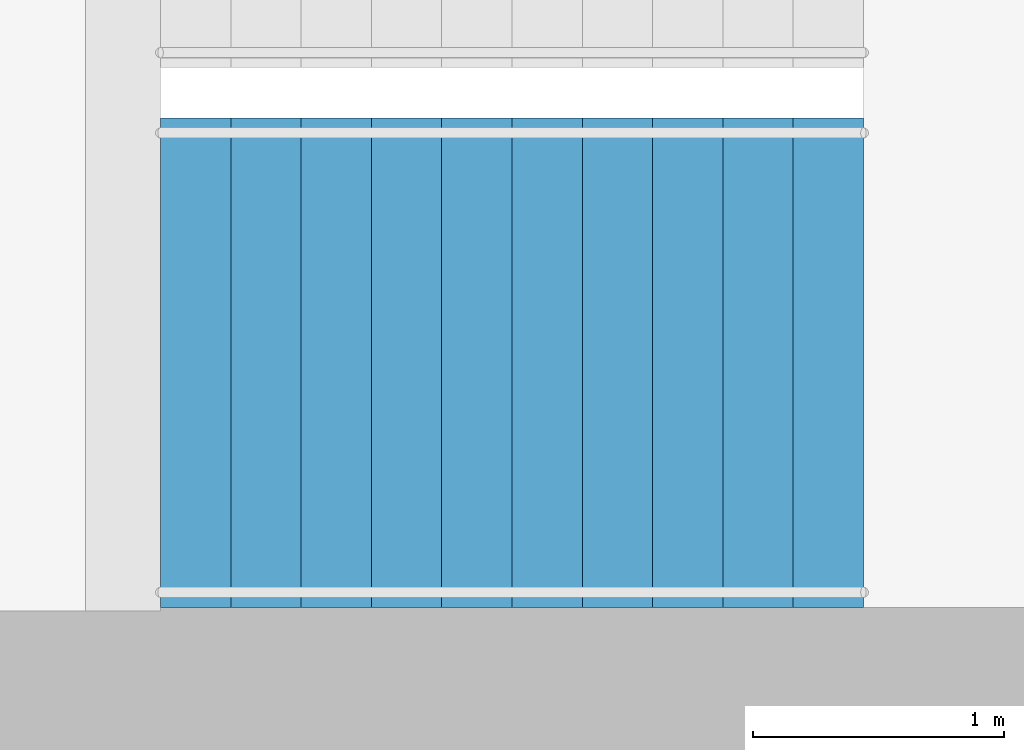
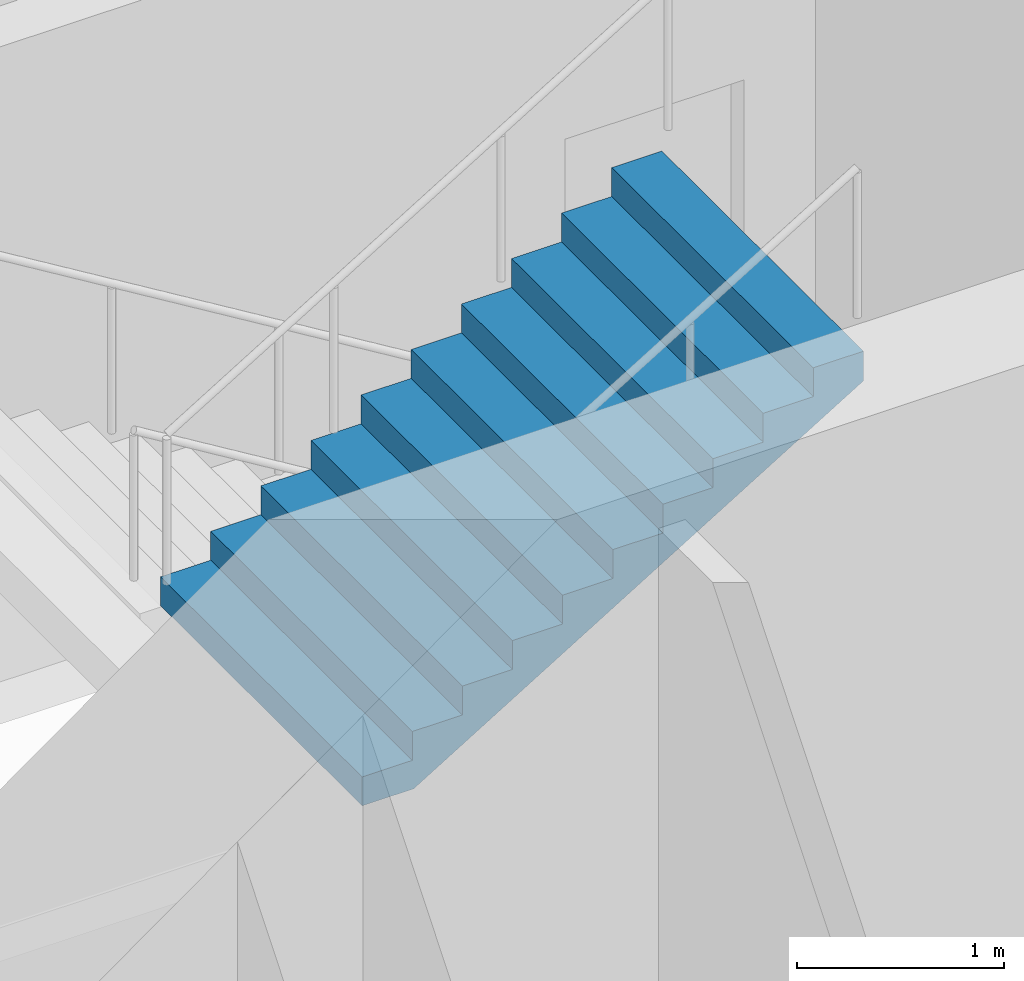
# One storey, part 21 of 23: 1 stair flight, 1 element without a shape of its own.
"""IFC4 building model written with IfcOpenShell, lengths in metres."""

from ifc_helpers import new_model, si_unit, direction, frame, origin, place, context, subcontext, project, spatial, triangles, material, type_object, element, aggregate, save


model = new_model("IFC4")

# Units and contexts
model_context = context("Model", 3, precision=1e-05, world=origin(), true_north=direction((0.0, 1.0)))
body_context = subcontext(model_context, "Body", "Model", "MODEL_VIEW")
ifc_project = project(units=[si_unit("LENGTHUNIT", "METRE"), si_unit("AREAUNIT", "SQUARE_METRE"), si_unit("VOLUMEUNIT", "CUBIC_METRE"), si_unit("PLANEANGLEUNIT", "RADIAN"), si_unit("MASSUNIT", "GRAM", prefix="KILO")], contexts=[model_context])

# Site, building, storey
site_placement = place(None, origin())
site = spatial("IfcSite", under=ifc_project, at=site_placement, CompositionType="ELEMENT")
building_placement = place(site_placement, origin())
building = spatial("IfcBuilding", under=site, at=building_placement, Name="Orbita Commons", CompositionType="ELEMENT")
storey_placement = place(building_placement, frame((0.0, 0.0, 224.050048828125)))
storey = spatial("IfcBuildingStorey", under=building, at=storey_placement, Name="L55", CompositionType="ELEMENT", Elevation=224.050048828125)

# Stair, stair flight
ifc_material_1 = material(Name="Precast concrete C40/50", Category="concrete")
stair_type = type_object("IfcStairType", Name="Exit stair S2 2 flights 11 risers 170", PredefinedType="HALF_TURN_STAIR", material=ifc_material_1)
stair_placement = place(storey_placement, origin())
stair = element("IfcStair", 1, at=stair_placement, inside=storey, type_object=stair_type, Name="Exit stair S2 L55", PredefinedType="HALF_TURN_STAIR")
ifc_material_2 = material(Name="Precast concrete C40/50", Category="concrete")
stair_flight_type = type_object("IfcStairFlightType", Name="Stair flight 11 risers 170 x 280", PredefinedType="STRAIGHT", material=ifc_material_2)
stair_flight_placement = place(storey_placement, frame((60.75, 27.125, 1.875), z_axis=(0.0, 0.0, 1.0), x_axis=(1.0, 0.0, 0.0)))
stair_flight = element("IfcStairFlight", 2, at=stair_flight_placement, type_object=stair_flight_type, Name="S2 flight 2", NumberOfRisers=11, NumberOfTreads=10, PredefinedType="STRAIGHT", RiserHeight=0.170454545, TreadLength=0.28, context=body_context, shape_type="Tessellation", body=[
    triangles([(0.0, 0.974976, 0.0), (0.0, 0.974976, 0.021307), (0.0, 0.81248, 0.021307), (0.0, 0.81248, 0.0), (0.0, 0.649984, 0.021307), (0.0, 0.649984, 0.0), (0.0, 0.487488, 0.021307), (0.0, 0.487488, 0.0), (0.0, 0.324992, 0.021307), (0.0, 0.324992, 0.0), (0.0, 0.162496, 0.021307), (0.0, 0.162496, 0.0), (0.0, 0.0, 0.021307), (0.0, 0.0, 0.0), (0.0, -0.162496, 0.021307), (0.0, -0.162496, 0.0), (0.0, -0.324992, 0.021307), (0.0, -0.324992, 0.0), (0.0, -0.487488, 0.021307), (0.0, -0.487488, 0.0), (0.0, -0.649984, 0.021307), (0.0, -0.649984, 0.0), (0.0, -0.81248, 0.021307), (0.0, -0.81248, 0.0), (0.0, -0.974976, 0.021307), (0.0, -0.974976, 0.0), (0.0, 0.974976, 0.042614), (0.0, 0.81248, 0.042614), (0.0, 0.649984, 0.042614), (0.0, 0.487488, 0.042614), (0.0, 0.324992, 0.042614), (0.0, 0.162496, 0.042614), (0.0, 0.0, 0.042614), (0.0, -0.162496, 0.042614), (0.0, -0.324992, 0.042614), (0.0, -0.487488, 0.042614), (0.0, -0.649984, 0.042614), (0.0, -0.81248, 0.042614), (0.0, -0.974976, 0.042614), (0.0, 0.974976, 0.06392), (0.0, 0.81248, 0.06392), (0.0, 0.649984, 0.06392), (0.0, 0.487488, 0.06392), (0.0, 0.324992, 0.06392), (0.0, 0.162496, 0.06392), (0.0, 0.0, 0.06392), (0.0, -0.162496, 0.06392), (0.0, -0.324992, 0.06392), (0.0, -0.487488, 0.06392), (0.0, -0.649984, 0.06392), (0.0, -0.81248, 0.06392), (0.0, -0.974976, 0.06392), (0.0, 0.974976, 0.085227), (0.0, 0.81248, 0.085227), (0.0, 0.649984, 0.085227), (0.0, 0.487488, 0.085227), (0.0, 0.324992, 0.085227), (0.0, 0.162496, 0.085227), (0.0, 0.0, 0.085227), (0.0, -0.162496, 0.085227), (0.0, -0.324992, 0.085227), (0.0, -0.487488, 0.085227), (0.0, -0.649984, 0.085227), (0.0, -0.81248, 0.085227), (0.0, -0.974976, 0.085227), (0.0, 0.974976, 0.106534), (0.0, 0.81248, 0.106534), (0.0, 0.649984, 0.106534), (0.0, 0.487488, 0.106534), (0.0, 0.324992, 0.106534), (0.0, 0.162496, 0.106534), (0.0, 0.0, 0.106534), (0.0, -0.162496, 0.106534), (0.0, -0.324992, 0.106534), (0.0, -0.487488, 0.106534), (0.0, -0.649984, 0.106534), (0.0, -0.81248, 0.106534), (0.0, -0.974976, 0.106534), (0.0, 0.974976, 0.127841), (0.0, 0.81248, 0.127841), (0.0, 0.649984, 0.127841), (0.0, 0.487488, 0.127841), (0.0, 0.324992, 0.127841), (0.0, 0.162496, 0.127841), (0.0, 0.0, 0.127841), (0.0, -0.162496, 0.127841), (0.0, -0.324992, 0.127841), (0.0, -0.487488, 0.127841), (0.0, -0.649984, 0.127841), (0.0, -0.81248, 0.127841), (0.0, -0.974976, 0.127841), (0.0, 0.974976, 0.149148), (0.0, 0.81248, 0.149148), (0.0, 0.649984, 0.149148), (0.0, 0.487488, 0.149148), (0.0, 0.324992, 0.149148), (0.0, 0.162496, 0.149148), (0.0, 0.0, 0.149148), (0.0, -0.162496, 0.149148), (0.0, -0.324992, 0.149148), (0.0, -0.487488, 0.149148), (0.0, -0.649984, 0.149148), (0.0, -0.81248, 0.149148), (0.0, -0.974976, 0.149148), (0.0, 0.974976, 0.170455), (0.0, 0.81248, 0.170455), (0.0, 0.649984, 0.170455), (0.0, 0.487488, 0.170455), (0.0, 0.324992, 0.170455), (0.0, 0.162496, 0.170455), (0.0, 0.0, 0.170455), (0.0, -0.162496, 0.170455), (0.0, -0.324992, 0.170455), (0.0, -0.487488, 0.170455), (0.0, -0.649984, 0.170455), (0.0, -0.81248, 0.170455), (0.0, -0.974976, 0.170455), (0.28, 0.974976, 0.170455), (0.28, 0.81248, 0.170455), (0.28, 0.649984, 0.170455), (0.28, 0.487488, 0.170455), (0.28, 0.324992, 0.170455), (0.28, 0.162496, 0.170455), (0.28, 0.0, 0.170455), (0.28, -0.162496, 0.170455), (0.28, -0.324992, 0.170455), (0.28, -0.487488, 0.170455), (0.28, -0.649984, 0.170455), (0.28, -0.81248, 0.170455), (0.28, -0.974976, 0.170455), (0.28, 0.974976, 0.340909), (0.28, 0.81248, 0.340909), (0.28, 0.649984, 0.340909), (0.28, 0.487488, 0.340909), (0.28, 0.324992, 0.340909), (0.28, 0.162496, 0.340909), (0.28, 0.0, 0.340909), (0.28, -0.162496, 0.340909), (0.28, -0.324992, 0.340909), (0.28, -0.487488, 0.340909), (0.28, -0.649984, 0.340909), (0.28, -0.81248, 0.340909), (0.28, -0.974976, 0.340909), (0.56, 0.974976, 0.340909), (0.56, 0.81248, 0.340909), (0.56, 0.649984, 0.340909), (0.56, 0.487488, 0.340909), (0.56, 0.324992, 0.340909), (0.56, 0.162496, 0.340909), (0.56, 0.0, 0.340909), (0.56, -0.162496, 0.340909), (0.56, -0.324992, 0.340909), (0.56, -0.487488, 0.340909), (0.56, -0.649984, 0.340909), (0.56, -0.81248, 0.340909), (0.56, -0.974976, 0.340909), (0.56, 0.974976, 0.511364), (0.56, 0.81248, 0.511364), (0.56, 0.649984, 0.511364), (0.56, 0.487488, 0.511364), (0.56, 0.324992, 0.511364), (0.56, 0.162496, 0.511364), (0.56, 0.0, 0.511364), (0.56, -0.162496, 0.511364), (0.56, -0.324992, 0.511364), (0.56, -0.487488, 0.511364), (0.56, -0.649984, 0.511364), (0.56, -0.81248, 0.511364), (0.56, -0.974976, 0.511364), (0.84, 0.974976, 0.511364), (0.84, 0.81248, 0.511364), (0.84, 0.649984, 0.511364), (0.84, 0.487488, 0.511364), (0.84, 0.324992, 0.511364), (0.84, 0.162496, 0.511364), (0.84, 0.0, 0.511364), (0.84, -0.162496, 0.511364), (0.84, -0.324992, 0.511364), (0.84, -0.487488, 0.511364), (0.84, -0.649984, 0.511364), (0.84, -0.81248, 0.511364), (0.84, -0.974976, 0.511364), (0.84, 0.974976, 0.681818), (0.84, 0.81248, 0.681818), (0.84, 0.649984, 0.681818), (0.84, 0.487488, 0.681818), (0.84, 0.324992, 0.681818), (0.84, 0.162496, 0.681818), (0.84, 0.0, 0.681818), (0.84, -0.162496, 0.681818), (0.84, -0.324992, 0.681818), (0.84, -0.487488, 0.681818), (0.84, -0.649984, 0.681818), (0.84, -0.81248, 0.681818), (0.84, -0.974976, 0.681818), (1.12, 0.974976, 0.681818), (1.12, 0.81248, 0.681818), (1.12, 0.649984, 0.681818), (1.12, 0.487488, 0.681818), (1.12, 0.324992, 0.681818), (1.12, 0.162496, 0.681818), (1.12, 0.0, 0.681818), (1.12, -0.162496, 0.681818), (1.12, -0.324992, 0.681818), (1.12, -0.487488, 0.681818), (1.12, -0.649984, 0.681818), (1.12, -0.81248, 0.681818), (1.12, -0.974976, 0.681818), (1.12, 0.974976, 0.852273), (1.12, 0.81248, 0.852273), (1.12, 0.649984, 0.852273), (1.12, 0.487488, 0.852273), (1.12, 0.324992, 0.852273), (1.12, 0.162496, 0.852273), (1.12, 0.0, 0.852273), (1.12, -0.162496, 0.852273), (1.12, -0.324992, 0.852273), (1.12, -0.487488, 0.852273), (1.12, -0.649984, 0.852273), (1.12, -0.81248, 0.852273), (1.12, -0.974976, 0.852273), (1.4, 0.974976, 0.852273), (1.4, 0.81248, 0.852273), (1.4, 0.649984, 0.852273), (1.4, 0.487488, 0.852273), (1.4, 0.324992, 0.852273), (1.4, 0.162496, 0.852273), (1.4, 0.0, 0.852273), (1.4, -0.162496, 0.852273), (1.4, -0.324992, 0.852273), (1.4, -0.487488, 0.852273), (1.4, -0.649984, 0.852273), (1.4, -0.81248, 0.852273), (1.4, -0.974976, 0.852273), (1.4, 0.974976, 1.022727), (1.4, 0.81248, 1.022727), (1.4, 0.649984, 1.022727), (1.4, 0.487488, 1.022727), (1.4, 0.324992, 1.022727), (1.4, 0.162496, 1.022727), (1.4, 0.0, 1.022727), (1.4, -0.162496, 1.022727), (1.4, -0.324992, 1.022727), (1.4, -0.487488, 1.022727), (1.4, -0.649984, 1.022727), (1.4, -0.81248, 1.022727), (1.4, -0.974976, 1.022727), (1.68, 0.974976, 1.022727), (1.68, 0.81248, 1.022727), (1.68, 0.649984, 1.022727), (1.68, 0.487488, 1.022727), (1.68, 0.324992, 1.022727), (1.68, 0.162496, 1.022727), (1.68, 0.0, 1.022727), (1.68, -0.162496, 1.022727), (1.68, -0.324992, 1.022727), (1.68, -0.487488, 1.022727), (1.68, -0.649984, 1.022727), (1.68, -0.81248, 1.022727), (1.68, -0.974976, 1.022727), (1.68, 0.974976, 1.193182), (1.68, 0.81248, 1.193182), (1.68, 0.649984, 1.193182), (1.68, 0.487488, 1.193182), (1.68, 0.324992, 1.193182), (1.68, 0.162496, 1.193182), (1.68, 0.0, 1.193182), (1.68, -0.162496, 1.193182), (1.68, -0.324992, 1.193182), (1.68, -0.487488, 1.193182), (1.68, -0.649984, 1.193182), (1.68, -0.81248, 1.193182), (1.68, -0.974976, 1.193182), (1.96, 0.974976, 1.193182), (1.96, 0.81248, 1.193182), (1.96, 0.649984, 1.193182), (1.96, 0.487488, 1.193182), (1.96, 0.324992, 1.193182), (1.96, 0.162496, 1.193182), (1.96, 0.0, 1.193182), (1.96, -0.162496, 1.193182), (1.96, -0.324992, 1.193182), (1.96, -0.487488, 1.193182), (1.96, -0.649984, 1.193182), (1.96, -0.81248, 1.193182), (1.96, -0.974976, 1.193182), (1.96, 0.974976, 1.363636), (1.96, 0.81248, 1.363636), (1.96, 0.649984, 1.363636), (1.96, 0.487488, 1.363636), (1.96, 0.324992, 1.363636), (1.96, 0.162496, 1.363636), (1.96, 0.0, 1.363636), (1.96, -0.162496, 1.363636), (1.96, -0.324992, 1.363636), (1.96, -0.487488, 1.363636), (1.96, -0.649984, 1.363636), (1.96, -0.81248, 1.363636), (1.96, -0.974976, 1.363636), (2.24, 0.974976, 1.363636), (2.24, 0.81248, 1.363636), (2.24, 0.649984, 1.363636), (2.24, 0.487488, 1.363636), (2.24, 0.324992, 1.363636), (2.24, 0.162496, 1.363636), (2.24, 0.0, 1.363636), (2.24, -0.162496, 1.363636), (2.24, -0.324992, 1.363636), (2.24, -0.487488, 1.363636), (2.24, -0.649984, 1.363636), (2.24, -0.81248, 1.363636), (2.24, -0.974976, 1.363636), (2.24, 0.974976, 1.534091), (2.24, 0.81248, 1.534091), (2.24, 0.649984, 1.534091), (2.24, 0.487488, 1.534091), (2.24, 0.324992, 1.534091), (2.24, 0.162496, 1.534091), (2.24, 0.0, 1.534091), (2.24, -0.162496, 1.534091), (2.24, -0.324992, 1.534091), (2.24, -0.487488, 1.534091), (2.24, -0.649984, 1.534091), (2.24, -0.81248, 1.534091), (2.24, -0.974976, 1.534091), (2.52, 0.974976, 1.534091), (2.52, 0.81248, 1.534091), (2.52, 0.649984, 1.534091), (2.52, 0.487488, 1.534091), (2.52, 0.324992, 1.534091), (2.52, 0.162496, 1.534091), (2.52, 0.0, 1.534091), (2.52, -0.162496, 1.534091), (2.52, -0.324992, 1.534091), (2.52, -0.487488, 1.534091), (2.52, -0.649984, 1.534091), (2.52, -0.81248, 1.534091), (2.52, -0.974976, 1.534091), (2.52, 0.974976, 1.704545), (2.52, 0.81248, 1.704545), (2.52, 0.649984, 1.704545), (2.52, 0.487488, 1.704545), (2.52, 0.324992, 1.704545), (2.52, 0.162496, 1.704545), (2.52, 0.0, 1.704545), (2.52, -0.162496, 1.704545), (2.52, -0.324992, 1.704545), (2.52, -0.487488, 1.704545), (2.52, -0.649984, 1.704545), (2.52, -0.81248, 1.704545), (2.52, -0.974976, 1.704545), (2.8, 0.974976, 1.704545), (2.8, 0.81248, 1.704545), (2.8, 0.649984, 1.704545), (2.8, 0.487488, 1.704545), (2.8, 0.324992, 1.704545), (2.8, 0.162496, 1.704545), (2.8, 0.0, 1.704545), (2.8, -0.162496, 1.704545), (2.8, -0.324992, 1.704545), (2.8, -0.487488, 1.704545), (2.8, -0.649984, 1.704545), (2.8, -0.81248, 1.704545), (2.8, -0.974976, 1.704545), (2.8, 0.974976, 1.682609), (2.8, 0.81248, 1.682609), (2.8, 0.649984, 1.682609), (2.8, 0.487488, 1.682609), (2.8, 0.324992, 1.682609), (2.8, 0.162496, 1.682609), (2.8, 0.0, 1.682609), (2.8, -0.162496, 1.682609), (2.8, -0.324992, 1.682609), (2.8, -0.487488, 1.682609), (2.8, -0.649984, 1.682609), (2.8, -0.81248, 1.682609), (2.8, -0.974976, 1.682609), (2.8, 0.974976, 1.660672), (2.8, 0.81248, 1.660672), (2.8, 0.649984, 1.660672), (2.8, 0.487488, 1.660672), (2.8, 0.324992, 1.660672), (2.8, 0.162496, 1.660672), (2.8, 0.0, 1.660672), (2.8, -0.162496, 1.660672), (2.8, -0.324992, 1.660672), (2.8, -0.487488, 1.660672), (2.8, -0.649984, 1.660672), (2.8, -0.81248, 1.660672), (2.8, -0.974976, 1.660672), (2.8, 0.974976, 1.638735), (2.8, 0.81248, 1.638735), (2.8, 0.649984, 1.638735), (2.8, 0.487488, 1.638735), (2.8, 0.324992, 1.638735), (2.8, 0.162496, 1.638735), (2.8, 0.0, 1.638735), (2.8, -0.162496, 1.638735), (2.8, -0.324992, 1.638735), (2.8, -0.487488, 1.638735), (2.8, -0.649984, 1.638735), (2.8, -0.81248, 1.638735), (2.8, -0.974976, 1.638735), (2.8, 0.974976, 1.616798), (2.8, 0.81248, 1.616798), (2.8, 0.649984, 1.616798), (2.8, 0.487488, 1.616798), (2.8, 0.324992, 1.616798), (2.8, 0.162496, 1.616798), (2.8, 0.0, 1.616798), (2.8, -0.162496, 1.616798), (2.8, -0.324992, 1.616798), (2.8, -0.487488, 1.616798), (2.8, -0.649984, 1.616798), (2.8, -0.81248, 1.616798), (2.8, -0.974976, 1.616798), (2.8, 0.974976, 1.594861), (2.8, 0.81248, 1.594861), (2.8, 0.649984, 1.594861), (2.8, 0.487488, 1.594861), (2.8, 0.324992, 1.594861), (2.8, 0.162496, 1.594861), (2.8, 0.0, 1.594861), (2.8, -0.162496, 1.594861), (2.8, -0.324992, 1.594861), (2.8, -0.487488, 1.594861), (2.8, -0.649984, 1.594861), (2.8, -0.81248, 1.594861), (2.8, -0.974976, 1.594861), (2.8, 0.974976, 1.572925), (2.8, 0.81248, 1.572925), (2.8, 0.649984, 1.572925), (2.8, 0.487488, 1.572925), (2.8, 0.324992, 1.572925), (2.8, 0.162496, 1.572925), (2.8, 0.0, 1.572925), (2.8, -0.162496, 1.572925), (2.8, -0.324992, 1.572925), (2.8, -0.487488, 1.572925), (2.8, -0.649984, 1.572925), (2.8, -0.81248, 1.572925), (2.8, -0.974976, 1.572925), (2.8, 0.974976, 1.550988), (2.8, 0.81248, 1.550988), (2.8, 0.649984, 1.550988), (2.8, 0.487488, 1.550988), (2.8, 0.324992, 1.550988), (2.8, 0.162496, 1.550988), (2.8, 0.0, 1.550988), (2.8, -0.162496, 1.550988), (2.8, -0.324992, 1.550988), (2.8, -0.487488, 1.550988), (2.8, -0.649984, 1.550988), (2.8, -0.81248, 1.550988), (2.8, -0.974976, 1.550988), (2.8, 0.974976, 1.529051), (2.8, 0.81248, 1.529051), (2.8, 0.649984, 1.529051), (2.8, 0.487488, 1.529051), (2.8, 0.324992, 1.529051), (2.8, 0.162496, 1.529051), (2.8, 0.0, 1.529051), (2.8, -0.162496, 1.529051), (2.8, -0.324992, 1.529051), (2.8, -0.487488, 1.529051), (2.8, -0.649984, 1.529051), (2.8, -0.81248, 1.529051), (2.8, -0.974976, 1.529051), (0.288279, 0.974976, 0.0), (0.288279, 0.81248, 0.0), (0.288279, 0.649984, 0.0), (0.288279, 0.487488, 0.0), (0.288279, 0.324992, 0.0), (0.288279, 0.162496, 0.0), (0.288279, 0.0, 0.0), (0.288279, -0.162496, 0.0), (0.288279, -0.324992, 0.0), (0.288279, -0.487488, 0.0), (0.288279, -0.649984, 0.0), (0.288279, -0.81248, 0.0), (0.288279, -0.974976, 0.0)], [[3, 2, 1], [4, 3, 1], [5, 3, 4], [6, 5, 4], [7, 5, 6], [8, 7, 6], [9, 7, 8], [10, 9, 8], [11, 9, 10], [12, 11, 10], [13, 11, 12], [14, 13, 12], [15, 13, 14], [16, 15, 14], [17, 15, 16], [18, 17, 16], [19, 17, 18], [20, 19, 18], [21, 19, 20], [22, 21, 20], [23, 21, 22], [24, 23, 22], [25, 23, 24], [26, 25, 24], [28, 27, 2], [3, 28, 2], [29, 28, 3], [5, 29, 3], [30, 29, 5], [7, 30, 5], [31, 30, 7], [9, 31, 7], [32, 31, 9], [11, 32, 9], [33, 32, 11], [13, 33, 11], [34, 33, 13], [15, 34, 13], [35, 34, 15], [17, 35, 15], [36, 35, 17], [19, 36, 17], [37, 36, 19], [21, 37, 19], [38, 37, 21], [23, 38, 21], [39, 38, 23], [25, 39, 23], [41, 40, 27], [28, 41, 27], [42, 41, 28], [29, 42, 28], [43, 42, 29], [30, 43, 29], [44, 43, 30], [31, 44, 30], [45, 44, 31], [32, 45, 31], [46, 45, 32], [33, 46, 32], [47, 46, 33], [34, 47, 33], [48, 47, 34], [35, 48, 34], [49, 48, 35], [36, 49, 35], [50, 49, 36], [37, 50, 36], [51, 50, 37], [38, 51, 37], [52, 51, 38], [39, 52, 38], [54, 53, 40], [41, 54, 40], [55, 54, 41], [42, 55, 41], [56, 55, 42], [43, 56, 42], [57, 56, 43], [44, 57, 43], [58, 57, 44], [45, 58, 44], [59, 58, 45], [46, 59, 45], [60, 59, 46], [47, 60, 46], [61, 60, 47], [48, 61, 47], [62, 61, 48], [49, 62, 48], [63, 62, 49], [50, 63, 49], [64, 63, 50], [51, 64, 50], [65, 64, 51], [52, 65, 51], [67, 66, 53], [54, 67, 53], [68, 67, 54], [55, 68, 54], [69, 68, 55], [56, 69, 55], [70, 69, 56], [57, 70, 56], [71, 70, 57], [58, 71, 57], [72, 71, 58], [59, 72, 58], [73, 72, 59], [60, 73, 59], [74, 73, 60], [61, 74, 60], [75, 74, 61], [62, 75, 61], [76, 75, 62], [63, 76, 62], [77, 76, 63], [64, 77, 63], [78, 77, 64], [65, 78, 64], [80, 79, 66], [67, 80, 66], [81, 80, 67], [68, 81, 67], [82, 81, 68], [69, 82, 68], [83, 82, 69], [70, 83, 69], [84, 83, 70], [71, 84, 70], [85, 84, 71], [72, 85, 71], [86, 85, 72], [73, 86, 72], [87, 86, 73], [74, 87, 73], [88, 87, 74], [75, 88, 74], [89, 88, 75], [76, 89, 75], [90, 89, 76], [77, 90, 76], [91, 90, 77], [78, 91, 77], [93, 92, 79], [80, 93, 79], [94, 93, 80], [81, 94, 80], [95, 94, 81], [82, 95, 81], [96, 95, 82], [83, 96, 82], [97, 96, 83], [84, 97, 83], [98, 97, 84], [85, 98, 84], [99, 98, 85], [86, 99, 85], [100, 99, 86], [87, 100, 86], [101, 100, 87], [88, 101, 87], [102, 101, 88], [89, 102, 88], [103, 102, 89], [90, 103, 89], [104, 103, 90], [91, 104, 90], [106, 105, 92], [93, 106, 92], [107, 106, 93], [94, 107, 93], [108, 107, 94], [95, 108, 94], [109, 108, 95], [96, 109, 95], [110, 109, 96], [97, 110, 96], [111, 110, 97], [98, 111, 97], [112, 111, 98], [99, 112, 98], [113, 112, 99], [100, 113, 99], [114, 113, 100], [101, 114, 100], [115, 114, 101], [102, 115, 101], [116, 115, 102], [103, 116, 102], [117, 116, 103], [104, 117, 103], [119, 118, 105], [106, 119, 105], [120, 119, 106], [107, 120, 106], [121, 120, 107], [108, 121, 107], [122, 121, 108], [109, 122, 108], [123, 122, 109], [110, 123, 109], [124, 123, 110], [111, 124, 110], [125, 124, 111], [112, 125, 111], [126, 125, 112], [113, 126, 112], [127, 126, 113], [114, 127, 113], [128, 127, 114], [115, 128, 114], [129, 128, 115], [116, 129, 115], [130, 129, 116], [117, 130, 116], [132, 131, 118], [119, 132, 118], [133, 132, 119], [120, 133, 119], [134, 133, 120], [121, 134, 120], [135, 134, 121], [122, 135, 121], [136, 135, 122], [123, 136, 122], [137, 136, 123], [124, 137, 123], [138, 137, 124], [125, 138, 124], [139, 138, 125], [126, 139, 125], [140, 139, 126], [127, 140, 126], [141, 140, 127], [128, 141, 127], [142, 141, 128], [129, 142, 128], [143, 142, 129], [130, 143, 129], [145, 144, 131], [132, 145, 131], [146, 145, 132], [133, 146, 132], [147, 146, 133], [134, 147, 133], [148, 147, 134], [135, 148, 134], [149, 148, 135], [136, 149, 135], [150, 149, 136], [137, 150, 136], [151, 150, 137], [138, 151, 137], [152, 151, 138], [139, 152, 138], [153, 152, 139], [140, 153, 139], [154, 153, 140], [141, 154, 140], [155, 154, 141], [142, 155, 141], [156, 155, 142], [143, 156, 142], [158, 157, 144], [145, 158, 144], [159, 158, 145], [146, 159, 145], [160, 159, 146], [147, 160, 146], [161, 160, 147], [148, 161, 147], [162, 161, 148], [149, 162, 148], [163, 162, 149], [150, 163, 149], [164, 163, 150], [151, 164, 150], [165, 164, 151], [152, 165, 151], [166, 165, 152], [153, 166, 152], [167, 166, 153], [154, 167, 153], [168, 167, 154], [155, 168, 154], [169, 168, 155], [156, 169, 155], [171, 170, 157], [158, 171, 157], [172, 171, 158], [159, 172, 158], [173, 172, 159], [160, 173, 159], [174, 173, 160], [161, 174, 160], [175, 174, 161], [162, 175, 161], [176, 175, 162], [163, 176, 162], [177, 176, 163], [164, 177, 163], [178, 177, 164], [165, 178, 164], [179, 178, 165], [166, 179, 165], [180, 179, 166], [167, 180, 166], [181, 180, 167], [168, 181, 167], [182, 181, 168], [169, 182, 168], [184, 183, 170], [171, 184, 170], [185, 184, 171], [172, 185, 171], [186, 185, 172], [173, 186, 172], [187, 186, 173], [174, 187, 173], [188, 187, 174], [175, 188, 174], [189, 188, 175], [176, 189, 175], [190, 189, 176], [177, 190, 176], [191, 190, 177], [178, 191, 177], [192, 191, 178], [179, 192, 178], [193, 192, 179], [180, 193, 179], [194, 193, 180], [181, 194, 180], [195, 194, 181], [182, 195, 181], [197, 196, 183], [184, 197, 183], [198, 197, 184], [185, 198, 184], [199, 198, 185], [186, 199, 185], [200, 199, 186], [187, 200, 186], [201, 200, 187], [188, 201, 187], [202, 201, 188], [189, 202, 188], [203, 202, 189], [190, 203, 189], [204, 203, 190], [191, 204, 190], [205, 204, 191], [192, 205, 191], [206, 205, 192], [193, 206, 192], [207, 206, 193], [194, 207, 193], [208, 207, 194], [195, 208, 194], [210, 209, 196], [197, 210, 196], [211, 210, 197], [198, 211, 197], [212, 211, 198], [199, 212, 198], [213, 212, 199], [200, 213, 199], [214, 213, 200], [201, 214, 200], [215, 214, 201], [202, 215, 201], [216, 215, 202], [203, 216, 202], [217, 216, 203], [204, 217, 203], [218, 217, 204], [205, 218, 204], [219, 218, 205], [206, 219, 205], [220, 219, 206], [207, 220, 206], [221, 220, 207], [208, 221, 207], [223, 222, 209], [210, 223, 209], [224, 223, 210], [211, 224, 210], [225, 224, 211], [212, 225, 211], [226, 225, 212], [213, 226, 212], [227, 226, 213], [214, 227, 213], [228, 227, 214], [215, 228, 214], [229, 228, 215], [216, 229, 215], [230, 229, 216], [217, 230, 216], [231, 230, 217], [218, 231, 217], [232, 231, 218], [219, 232, 218], [233, 232, 219], [220, 233, 219], [234, 233, 220], [221, 234, 220], [236, 235, 222], [223, 236, 222], [237, 236, 223], [224, 237, 223], [238, 237, 224], [225, 238, 224], [239, 238, 225], [226, 239, 225], [240, 239, 226], [227, 240, 226], [241, 240, 227], [228, 241, 227], [242, 241, 228], [229, 242, 228], [243, 242, 229], [230, 243, 229], [244, 243, 230], [231, 244, 230], [245, 244, 231], [232, 245, 231], [246, 245, 232], [233, 246, 232], [247, 246, 233], [234, 247, 233], [249, 248, 235], [236, 249, 235], [250, 249, 236], [237, 250, 236], [251, 250, 237], [238, 251, 237], [252, 251, 238], [239, 252, 238], [253, 252, 239], [240, 253, 239], [254, 253, 240], [241, 254, 240], [255, 254, 241], [242, 255, 241], [256, 255, 242], [243, 256, 242], [257, 256, 243], [244, 257, 243], [258, 257, 244], [245, 258, 244], [259, 258, 245], [246, 259, 245], [260, 259, 246], [247, 260, 246], [262, 261, 248], [249, 262, 248], [263, 262, 249], [250, 263, 249], [264, 263, 250], [251, 264, 250], [265, 264, 251], [252, 265, 251], [266, 265, 252], [253, 266, 252], [267, 266, 253], [254, 267, 253], [268, 267, 254], [255, 268, 254], [269, 268, 255], [256, 269, 255], [270, 269, 256], [257, 270, 256], [271, 270, 257], [258, 271, 257], [272, 271, 258], [259, 272, 258], [273, 272, 259], [260, 273, 259], [275, 274, 261], [262, 275, 261], [276, 275, 262], [263, 276, 262], [277, 276, 263], [264, 277, 263], [278, 277, 264], [265, 278, 264], [279, 278, 265], [266, 279, 265], [280, 279, 266], [267, 280, 266], [281, 280, 267], [268, 281, 267], [282, 281, 268], [269, 282, 268], [283, 282, 269], [270, 283, 269], [284, 283, 270], [271, 284, 270], [285, 284, 271], [272, 285, 271], [286, 285, 272], [273, 286, 272], [288, 287, 274], [275, 288, 274], [289, 288, 275], [276, 289, 275], [290, 289, 276], [277, 290, 276], [291, 290, 277], [278, 291, 277], [292, 291, 278], [279, 292, 278], [293, 292, 279], [280, 293, 279], [294, 293, 280], [281, 294, 280], [295, 294, 281], [282, 295, 281], [296, 295, 282], [283, 296, 282], [297, 296, 283], [284, 297, 283], [298, 297, 284], [285, 298, 284], [299, 298, 285], [286, 299, 285], [301, 300, 287], [288, 301, 287], [302, 301, 288], [289, 302, 288], [303, 302, 289], [290, 303, 289], [304, 303, 290], [291, 304, 290], [305, 304, 291], [292, 305, 291], [306, 305, 292], [293, 306, 292], [307, 306, 293], [294, 307, 293], [308, 307, 294], [295, 308, 294], [309, 308, 295], [296, 309, 295], [310, 309, 296], [297, 310, 296], [311, 310, 297], [298, 311, 297], [312, 311, 298], [299, 312, 298], [314, 313, 300], [301, 314, 300], [315, 314, 301], [302, 315, 301], [316, 315, 302], [303, 316, 302], [317, 316, 303], [304, 317, 303], [318, 317, 304], [305, 318, 304], [319, 318, 305], [306, 319, 305], [320, 319, 306], [307, 320, 306], [321, 320, 307], [308, 321, 307], [322, 321, 308], [309, 322, 308], [323, 322, 309], [310, 323, 309], [324, 323, 310], [311, 324, 310], [325, 324, 311], [312, 325, 311], [327, 326, 313], [314, 327, 313], [328, 327, 314], [315, 328, 314], [329, 328, 315], [316, 329, 315], [330, 329, 316], [317, 330, 316], [331, 330, 317], [318, 331, 317], [332, 331, 318], [319, 332, 318], [333, 332, 319], [320, 333, 319], [334, 333, 320], [321, 334, 320], [335, 334, 321], [322, 335, 321], [336, 335, 322], [323, 336, 322], [337, 336, 323], [324, 337, 323], [338, 337, 324], [325, 338, 324], [340, 339, 326], [327, 340, 326], [341, 340, 327], [328, 341, 327], [342, 341, 328], [329, 342, 328], [343, 342, 329], [330, 343, 329], [344, 343, 330], [331, 344, 330], [345, 344, 331], [332, 345, 331], [346, 345, 332], [333, 346, 332], [347, 346, 333], [334, 347, 333], [348, 347, 334], [335, 348, 334], [349, 348, 335], [336, 349, 335], [350, 349, 336], [337, 350, 336], [351, 350, 337], [338, 351, 337], [353, 352, 339], [340, 353, 339], [354, 353, 340], [341, 354, 340], [355, 354, 341], [342, 355, 341], [356, 355, 342], [343, 356, 342], [357, 356, 343], [344, 357, 343], [358, 357, 344], [345, 358, 344], [359, 358, 345], [346, 359, 345], [360, 359, 346], [347, 360, 346], [361, 360, 347], [348, 361, 347], [362, 361, 348], [349, 362, 348], [363, 362, 349], [350, 363, 349], [364, 363, 350], [351, 364, 350], [366, 365, 352], [353, 366, 352], [367, 366, 353], [354, 367, 353], [368, 367, 354], [355, 368, 354], [369, 368, 355], [356, 369, 355], [370, 369, 356], [357, 370, 356], [371, 370, 357], [358, 371, 357], [372, 371, 358], [359, 372, 358], [373, 372, 359], [360, 373, 359], [374, 373, 360], [361, 374, 360], [375, 374, 361], [362, 375, 361], [376, 375, 362], [363, 376, 362], [377, 376, 363], [364, 377, 363], [379, 378, 365], [366, 379, 365], [380, 379, 366], [367, 380, 366], [381, 380, 367], [368, 381, 367], [382, 381, 368], [369, 382, 368], [383, 382, 369], [370, 383, 369], [384, 383, 370], [371, 384, 370], [385, 384, 371], [372, 385, 371], [386, 385, 372], [373, 386, 372], [387, 386, 373], [374, 387, 373], [388, 387, 374], [375, 388, 374], [389, 388, 375], [376, 389, 375], [390, 389, 376], [377, 390, 376], [392, 391, 378], [379, 392, 378], [393, 392, 379], [380, 393, 379], [394, 393, 380], [381, 394, 380], [395, 394, 381], [382, 395, 381], [396, 395, 382], [383, 396, 382], [397, 396, 383], [384, 397, 383], [398, 397, 384], [385, 398, 384], [399, 398, 385], [386, 399, 385], [400, 399, 386], [387, 400, 386], [401, 400, 387], [388, 401, 387], [402, 401, 388], [389, 402, 388], [403, 402, 389], [390, 403, 389], [405, 404, 391], [392, 405, 391], [406, 405, 392], [393, 406, 392], [407, 406, 393], [394, 407, 393], [408, 407, 394], [395, 408, 394], [409, 408, 395], [396, 409, 395], [410, 409, 396], [397, 410, 396], [411, 410, 397], [398, 411, 397], [412, 411, 398], [399, 412, 398], [413, 412, 399], [400, 413, 399], [414, 413, 400], [401, 414, 400], [415, 414, 401], [402, 415, 401], [416, 415, 402], [403, 416, 402], [418, 417, 404], [405, 418, 404], [419, 418, 405], [406, 419, 405], [420, 419, 406], [407, 420, 406], [421, 420, 407], [408, 421, 407], [422, 421, 408], [409, 422, 408], [423, 422, 409], [410, 423, 409], [424, 423, 410], [411, 424, 410], [425, 424, 411], [412, 425, 411], [426, 425, 412], [413, 426, 412], [427, 426, 413], [414, 427, 413], [428, 427, 414], [415, 428, 414], [429, 428, 415], [416, 429, 415], [431, 430, 417], [418, 431, 417], [432, 431, 418], [419, 432, 418], [433, 432, 419], [420, 433, 419], [434, 433, 420], [421, 434, 420], [435, 434, 421], [422, 435, 421], [436, 435, 422], [423, 436, 422], [437, 436, 423], [424, 437, 423], [438, 437, 424], [425, 438, 424], [439, 438, 425], [426, 439, 425], [440, 439, 426], [427, 440, 426], [441, 440, 427], [428, 441, 427], [442, 441, 428], [429, 442, 428], [444, 443, 430], [431, 444, 430], [445, 444, 431], [432, 445, 431], [446, 445, 432], [433, 446, 432], [447, 446, 433], [434, 447, 433], [448, 447, 434], [435, 448, 434], [449, 448, 435], [436, 449, 435], [450, 449, 436], [437, 450, 436], [451, 450, 437], [438, 451, 437], [452, 451, 438], [439, 452, 438], [453, 452, 439], [440, 453, 439], [454, 453, 440], [441, 454, 440], [455, 454, 441], [442, 455, 441], [457, 456, 443], [444, 457, 443], [458, 457, 444], [445, 458, 444], [459, 458, 445], [446, 459, 445], [460, 459, 446], [447, 460, 446], [461, 460, 447], [448, 461, 447], [462, 461, 448], [449, 462, 448], [463, 462, 449], [450, 463, 449], [464, 463, 450], [451, 464, 450], [465, 464, 451], [452, 465, 451], [466, 465, 452], [453, 466, 452], [467, 466, 453], [454, 467, 453], [468, 467, 454], [455, 468, 454], [470, 469, 456], [457, 470, 456], [471, 470, 457], [458, 471, 457], [472, 471, 458], [459, 472, 458], [473, 472, 459], [460, 473, 459], [474, 473, 460], [461, 474, 460], [475, 474, 461], [462, 475, 461], [476, 475, 462], [463, 476, 462], [477, 476, 463], [464, 477, 463], [478, 477, 464], [465, 478, 464], [479, 478, 465], [466, 479, 465], [480, 479, 466], [467, 480, 466], [481, 480, 467], [468, 481, 467], [4, 1, 469], [470, 4, 469], [6, 4, 470], [471, 6, 470], [8, 6, 471], [472, 8, 471], [10, 8, 472], [473, 10, 472], [12, 10, 473], [474, 12, 473], [14, 12, 474], [475, 14, 474], [16, 14, 475], [476, 16, 475], [18, 16, 476], [477, 18, 476], [20, 18, 477], [478, 20, 477], [22, 20, 478], [479, 22, 478], [24, 22, 479], [480, 24, 479], [26, 24, 480], [481, 26, 480], [456, 469, 1], [26, 481, 468], [443, 456, 1], [26, 468, 455], [430, 443, 1], [26, 455, 442], [417, 430, 1], [26, 442, 429], [404, 417, 1], [26, 429, 416], [391, 404, 1], [26, 416, 403], [378, 391, 1], [26, 403, 390], [365, 378, 1], [26, 390, 377], [339, 352, 365], [377, 364, 351], [326, 339, 365], [377, 351, 338], [300, 313, 326], [338, 325, 312], [300, 326, 365], [377, 338, 312], [274, 287, 300], [312, 299, 286], [274, 300, 365], [377, 312, 286], [248, 261, 274], [286, 273, 260], [248, 274, 365], [377, 286, 260], [222, 235, 248], [260, 247, 234], [222, 248, 365], [377, 260, 234], [196, 209, 222], [234, 221, 208], [196, 222, 365], [377, 234, 208], [170, 183, 196], [208, 195, 182], [170, 196, 365], [377, 208, 182], [144, 157, 170], [182, 169, 156], [144, 170, 365], [377, 182, 156], [118, 131, 144], [156, 143, 130], [118, 144, 365], [377, 156, 130], [118, 365, 1], [26, 377, 130], [92, 105, 118], [130, 117, 104], [79, 92, 118], [130, 104, 91], [66, 79, 118], [130, 91, 78], [53, 66, 118], [130, 78, 65], [40, 53, 118], [130, 65, 52], [27, 40, 118], [130, 52, 39], [2, 27, 118], [130, 39, 25], [1, 2, 118], [130, 25, 26]], closed=True),
])
aggregate(stair, [stair_flight])

save(model, "model.ifc")
